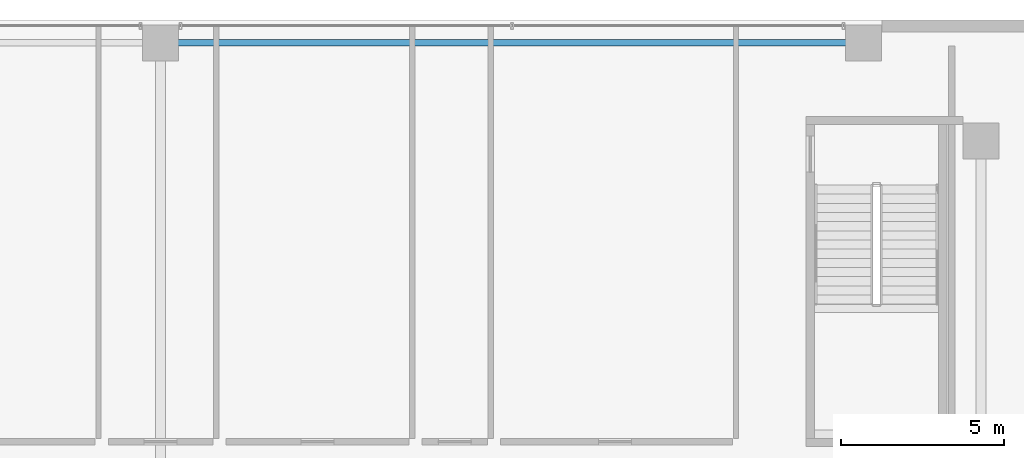
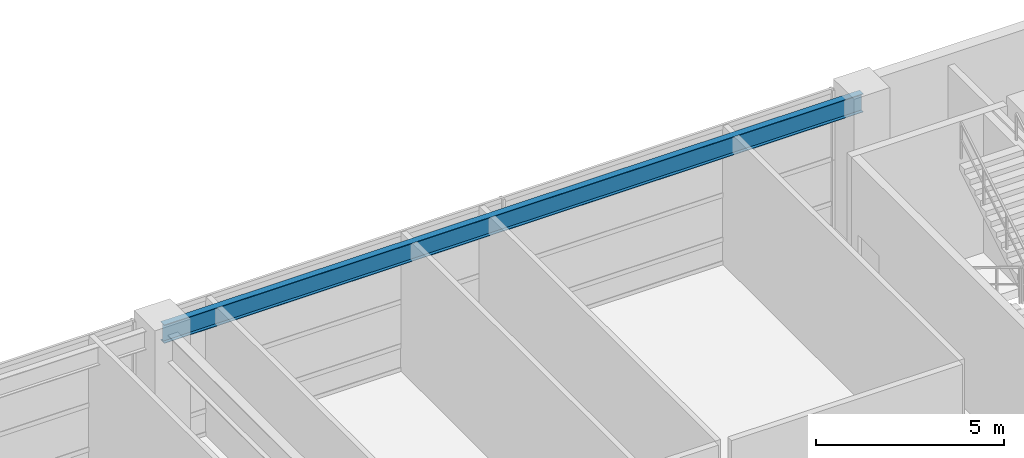
# One storey, part 24 of 38: 1 beam.
"""IFC4 building model written with IfcOpenShell, lengths in metres."""

from ifc_helpers import new_model, si_unit, direction, frame, origin, origin_2d, place, context, subcontext, project, spatial, i_section, extrude, source, transform, mapped, material, material_profile, profile_set, type_object, element, save


model = new_model("IFC4")

# Units and contexts
model_context = context("Model", 3, precision=1e-05, world=origin(), true_north=direction((0.0, 1.0)))
body_context = subcontext(model_context, "Body", "Model", "MODEL_VIEW")
ifc_project = project(units=[si_unit("LENGTHUNIT", "METRE"), si_unit("AREAUNIT", "SQUARE_METRE"), si_unit("VOLUMEUNIT", "CUBIC_METRE"), si_unit("PLANEANGLEUNIT", "RADIAN"), si_unit("MASSUNIT", "GRAM", prefix="KILO"), si_unit("THERMODYNAMICTEMPERATUREUNIT", "KELVIN"), si_unit("POWERUNIT", "WATT")], contexts=[model_context])

# Site, building, storey
site_placement = place(None, origin())
site = spatial("IfcSite", under=ifc_project, at=site_placement, CompositionType="ELEMENT")
building_placement = place(site_placement, origin())
building = spatial("IfcBuilding", under=site, at=building_placement, Name="Yuzanri Waterfront Tower", CompositionType="ELEMENT")
storey_placement = place(building_placement, frame((0.0, 0.0, 10.199951171875)))
storey = spatial("IfcBuildingStorey", under=building, at=storey_placement, Name="L03", CompositionType="ELEMENT", Elevation=10.199951171875)

# Beam
ifc_material = material(Name="Steel Q355B", Category="steel")
ifc_material_profile = material_profile(ifc_material, i_section(OverallWidth=0.199951171875, OverallDepth=0.60009765625, WebThickness=0.010986328125, FlangeThickness=0.01708984375, at=origin_2d()), Name="HN 600x200x11x17")
ifc_profile_set = profile_set([ifc_material_profile], Name="Steel Q355B")
beam_type = type_object("IfcBeamType", Name="Perimeter Spandrel Q355B HN 600x200", PredefinedType="SPANDREL", material=ifc_profile_set)
shared_shape = source(origin(), body_context, "Body", "SweptSolid", [
    extrude(i_section(OverallWidth=0.199951171875, OverallDepth=0.60009765625, WebThickness=0.010986328125, FlangeThickness=0.01708984375, at=origin_2d()), origin(), (0.0, 0.0, 1.0), 21.5),
])
beam_placement = place(storey_placement, frame((37.0, 49.10009765625, 4.219970703125), z_axis=(1.0, 0.0, 0.0), x_axis=(0.0, 1.0, 0.0)))
element("IfcBeam", 1, at=beam_placement, inside=storey, type_object=beam_type, Name="L03 North Spandrel 2", PredefinedType="SPANDREL", context=body_context, shape_type="MappedRepresentation", body=[
    mapped(shared_shape, transform((0.0, 0.0, 0.0), scale=1.0)),
])

save(model, "model.ifc")
